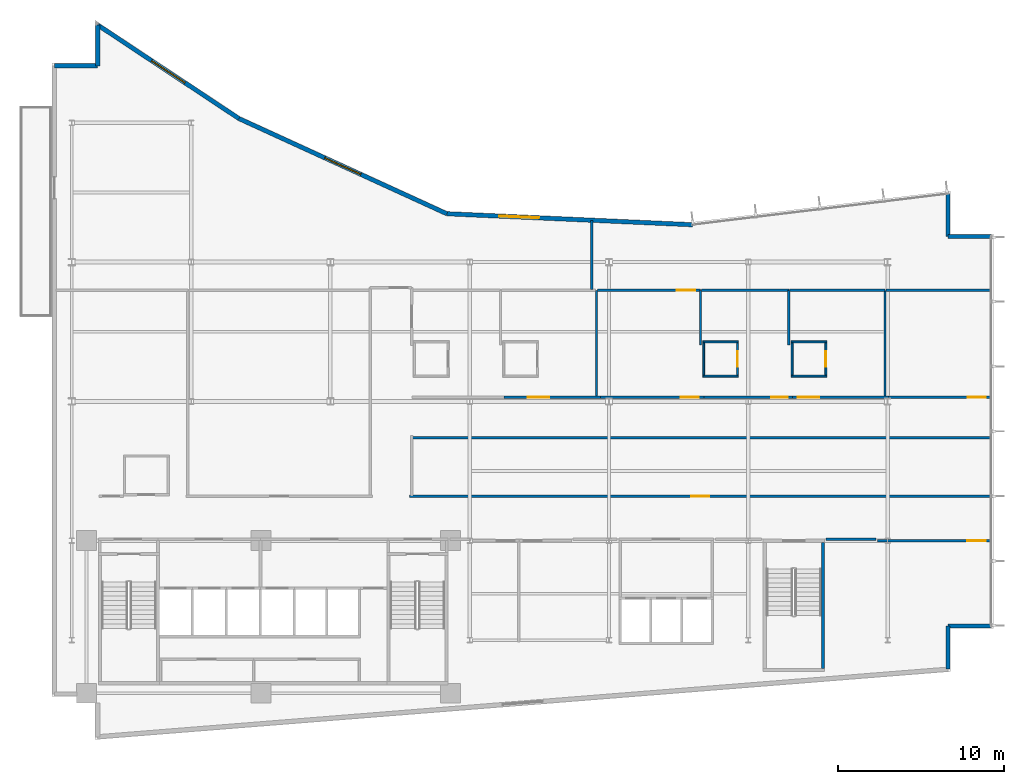
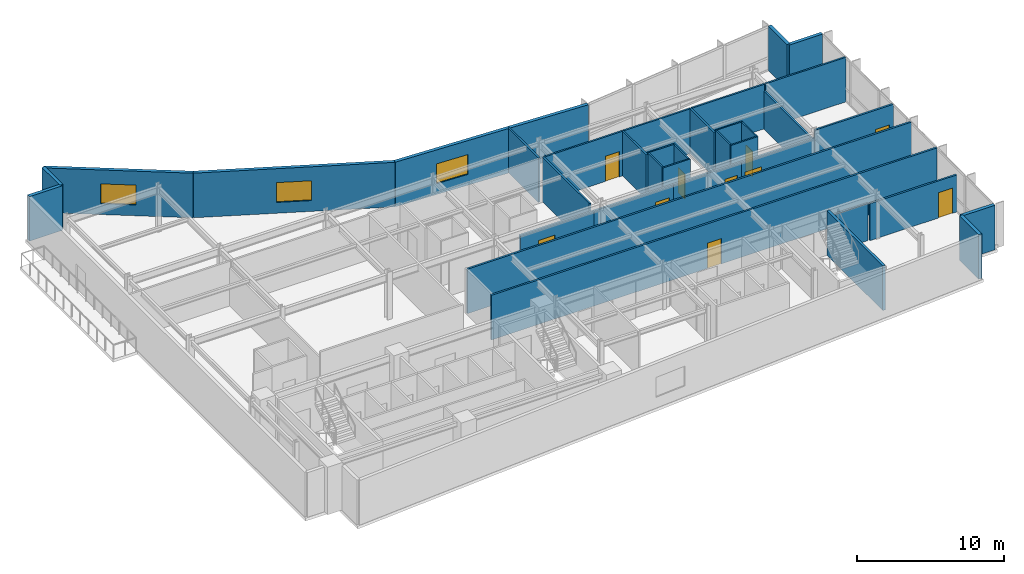
# One storey, part 12 of 18: 36 walls, 10 doors, 3 windows, 13 openings.
"""IFC4 building model written with IfcOpenShell, lengths in metres."""

from ifc_helpers import new_model, si_unit, direction, frame, frame_2d, origin, place, context, subcontext, project, spatial, rectangle, extrude, material, layer, layer_set, type_object, element, fill, save


model = new_model("IFC4")

# Units and contexts
model_context = context("Model", 3, precision=1e-05, world=origin(), true_north=direction((0.0, 1.0)))
body_context = subcontext(model_context, "Body", "Model", "MODEL_VIEW")
ifc_project = project(units=[si_unit("LENGTHUNIT", "METRE"), si_unit("AREAUNIT", "SQUARE_METRE"), si_unit("VOLUMEUNIT", "CUBIC_METRE"), si_unit("PLANEANGLEUNIT", "RADIAN"), si_unit("MASSUNIT", "GRAM", prefix="KILO")], contexts=[model_context])

# Site, building, storey
site_placement = place(None, origin())
site = spatial("IfcSite", under=ifc_project, at=site_placement, CompositionType="ELEMENT")
building_placement = place(site_placement, origin())
building = spatial("IfcBuilding", under=site, at=building_placement, Name="Varnakote Quay Hospital", CompositionType="ELEMENT")
storey_placement = place(building_placement, frame((0.0, 0.0, 142.85009765625)))
storey = spatial("IfcBuildingStorey", under=building, at=storey_placement, Name="L35", CompositionType="ELEMENT", Elevation=142.85009765625)

# Walls
ifc_material_1 = material(Name="Fire-rated acoustic gypsum stud wall", Category="gypsum")
ifc_layer_1 = layer(ifc_material_1, 0.159912109375)
ifc_layer_set_1 = layer_set([ifc_layer_1], Name="Fire-rated acoustic gypsum stud wall")
wall_type_1 = type_object("IfcWallType", Name="WL-COMP-160", PredefinedType="PARTITIONING", material=ifc_layer_set_1)
wall_1_placement = place(storey_placement, frame((46.689208984375, 12.080078125, 0.0), z_axis=(0.0, 0.0, 1.0), x_axis=(1.0, 0.0, 0.0)))
element("IfcWall", 1, at=wall_1_placement, inside=storey, type_object=wall_type_1, Name="L35 Corridor South Gap Wall", PredefinedType="PARTITIONING", context=body_context, shape_type="SweptSolid", body=[
    extrude(rectangle(XDim=3.0107421875, YDim=0.159912109375, at=frame_2d((1.50537109375, 0.0))), origin(), (0.0, 0.0, 1.0), 3.0830078125),
])
ifc_material_2 = material(Name="Moisture-resistant bathroom partition", Category="gypsum")
ifc_layer_2 = layer(ifc_material_2, 0.114990234375)
ifc_layer_set_2 = layer_set([ifc_layer_2], Name="Moisture-resistant bathroom partition")
wall_type_2 = type_object("IfcWallType", Name="WL-ENS-115", PredefinedType="PARTITIONING", material=ifc_layer_set_2)
for number, where, z_axis, x_axis, name in (
    (2, (39.2548828125, 21.922607421875, 0.0), (0.0, 0.0, 1.0), (1.0, 0.0, 0.0), "L35 Inpatient En-Suite Bathroom 03 S Wall"),
    (3, (39.2548828125, 23.987548828125, 0.0), (0.0, 0.0, 1.0), (1.0, 0.0, 0.0), "L35 Inpatient En-Suite Bathroom 03 N Wall"),
):
    element("IfcWall", number, at=place(storey_placement, frame(where, z_axis=z_axis, x_axis=x_axis)), inside=storey, type_object=wall_type_2, Name=name, PredefinedType="PARTITIONING", context=body_context, shape_type="SweptSolid", body=[
        extrude(rectangle(XDim=2.150146484375, YDim=0.114990234375, at=frame_2d((1.0751953125, 0.0))), origin(), (0.0, 0.0, 1.0), 3.7099609375),
    ])
wall_2_placement = place(storey_placement, frame((39.3125, 21.97998046875, 0.0), z_axis=(0.0, 0.0, 1.0), x_axis=(0.0, 1.0, 0.0)))
element("IfcWall", 4, at=wall_2_placement, inside=storey, type_object=wall_type_2, Name="L35 Inpatient En-Suite Bathroom 03 W Wall", PredefinedType="PARTITIONING", context=body_context, shape_type="SweptSolid", body=[
    extrude(rectangle(XDim=1.949951171875, YDim=0.114990234375, at=frame_2d((0.97509765625, 0.0))), origin(), (0.0, 0.0, 1.0), 3.7099609375),
])

# Wall, opening, door
wall_3_placement = place(storey_placement, frame((41.347412109375, 21.97998046875, 0.0), z_axis=(0.0, 0.0, 1.0), x_axis=(0.0, 1.0, 0.0)))
wall_3 = element("IfcWall", 5, at=wall_3_placement, inside=storey, type_object=wall_type_2, Name="L35 Inpatient En-Suite Bathroom 03 E Wall", PredefinedType="PARTITIONING", context=body_context, shape_type="SweptSolid", body=[
    extrude(rectangle(XDim=1.949951171875, YDim=0.114990234375, at=frame_2d((0.97509765625, 0.0))), origin(), (0.0, 0.0, 1.0), 3.7099609375),
])
opening_1_placement = place(wall_3_placement, frame((0.514892578125, 0.0, 0.0)))
opening_1 = element("IfcOpeningElement", 6, at=opening_1_placement, cuts=wall_3, Name="Opening D-L35-ENS03", PredefinedType="OPENING", context=body_context, shape_type="SweptSolid", body=[
    extrude(rectangle(XDim=0.919921875, YDim=2.10009765625, at=frame_2d((0.4599609375, 1.050048828125))), frame((0.0, 0.0673828125, 0.0), z_axis=(0.0, -1.0, 0.0), x_axis=(1.0, 0.0, 0.0)), (0.0, 0.0, 1.0), 0.135009765625),
])
ifc_material_3 = material(Name="Moisture-sealed en-suite bathroom door")
door_type_1 = type_object("IfcDoorType", Name="DR-ENS-920x2100", OperationType="NOTDEFINED", PredefinedType="DOOR", material=ifc_material_3)
door_1_placement = place(opening_1_placement, origin())
door_1 = element("IfcDoor", 7, at=door_1_placement, inside=storey, type_object=door_type_1, Name="L35 Inpatient En-Suite Bathroom 03 Door", OperationType="SINGLE_SWING_LEFT", OverallHeight=2.10009765625, OverallWidth=0.919921875, PredefinedType="DOOR", context=body_context, shape_type="SweptSolid", body=[
    extrude(rectangle(XDim=0.919921875, YDim=2.10009765625, at=frame_2d((0.4599609375, 1.050048828125))), frame((0.0, 0.02490234375, 0.0), z_axis=(0.0, -1.0, 0.0), x_axis=(1.0, 0.0, 0.0)), (0.0, 0.0, 1.0), 0.050048828125),
])
fill(opening_1, door_1)

# Walls
for number, where, z_axis, x_axis, name in (
    (8, (44.5849609375, 21.922607421875, 0.0), (0.0, 0.0, 1.0), (1.0, 0.0, 0.0), "L35 Inpatient En-Suite Bathroom 04 S Wall"),
    (9, (44.5849609375, 23.987548828125, 0.0), (0.0, 0.0, 1.0), (1.0, 0.0, 0.0), "L35 Inpatient En-Suite Bathroom 04 N Wall"),
):
    element("IfcWall", number, at=place(storey_placement, frame(where, z_axis=z_axis, x_axis=x_axis)), inside=storey, type_object=wall_type_2, Name=name, PredefinedType="PARTITIONING", context=body_context, shape_type="SweptSolid", body=[
        extrude(rectangle(XDim=2.150146484375, YDim=0.114990234375, at=frame_2d((1.0751953125, 0.0))), origin(), (0.0, 0.0, 1.0), 3.7099609375),
    ])
wall_4_placement = place(storey_placement, frame((44.642578125, 21.97998046875, 0.0), z_axis=(0.0, 0.0, 1.0), x_axis=(0.0, 1.0, 0.0)))
element("IfcWall", 10, at=wall_4_placement, inside=storey, type_object=wall_type_2, Name="L35 Inpatient En-Suite Bathroom 04 W Wall", PredefinedType="PARTITIONING", context=body_context, shape_type="SweptSolid", body=[
    extrude(rectangle(XDim=1.949951171875, YDim=0.114990234375, at=frame_2d((0.97509765625, 0.0))), origin(), (0.0, 0.0, 1.0), 3.7099609375),
])

# Wall, opening, door
wall_5_placement = place(storey_placement, frame((46.677490234375, 21.97998046875, 0.0), z_axis=(0.0, 0.0, 1.0), x_axis=(0.0, 1.0, 0.0)))
wall_5 = element("IfcWall", 11, at=wall_5_placement, inside=storey, type_object=wall_type_2, Name="L35 Inpatient En-Suite Bathroom 04 E Wall", PredefinedType="PARTITIONING", context=body_context, shape_type="SweptSolid", body=[
    extrude(rectangle(XDim=1.949951171875, YDim=0.114990234375, at=frame_2d((0.97509765625, 0.0))), origin(), (0.0, 0.0, 1.0), 3.7099609375),
])
opening_2_placement = place(wall_5_placement, frame((0.514892578125, 0.0, 0.0)))
opening_2 = element("IfcOpeningElement", 12, at=opening_2_placement, cuts=wall_5, Name="Opening D-L35-ENS04", PredefinedType="OPENING", context=body_context, shape_type="SweptSolid", body=[
    extrude(rectangle(XDim=0.919921875, YDim=2.10009765625, at=frame_2d((0.4599609375, 1.050048828125))), frame((0.0, 0.0673828125, 0.0), z_axis=(0.0, -1.0, 0.0), x_axis=(1.0, 0.0, 0.0)), (0.0, 0.0, 1.0), 0.135009765625),
])
door_2_placement = place(opening_2_placement, origin())
door_2 = element("IfcDoor", 13, at=door_2_placement, inside=storey, type_object=door_type_1, Name="L35 Inpatient En-Suite Bathroom 04 Door", OperationType="SINGLE_SWING_RIGHT", OverallHeight=2.10009765625, OverallWidth=0.919921875, PredefinedType="DOOR", context=body_context, shape_type="SweptSolid", body=[
    extrude(rectangle(XDim=0.919921875, YDim=2.10009765625, at=frame_2d((0.4599609375, 1.050048828125))), frame((0.0, 0.02490234375, 0.0), z_axis=(0.0, -1.0, 0.0), x_axis=(1.0, 0.0, 0.0)), (0.0, 0.0, 1.0), 0.050048828125),
])
fill(opening_2, door_2)

# Walls
ifc_material_4 = material(Name="Precast concrete N50 (f'c 50 MPa)", Category="concrete")
ifc_layer_3 = layer(ifc_material_4, 0.260009765625)
ifc_layer_set_3 = layer_set([ifc_layer_3], Name="Precast concrete N50 (f'c 50 MPa)")
wall_type_3 = type_object("IfcWallType", Name="WL-EXT-BRICK-260", PredefinedType="STANDARD", material=ifc_layer_set_3)
wall_6_placement = place(storey_placement, frame((54.0400390625, 4.247802734375, 0.0), z_axis=(0.0, 0.0, 1.0), x_axis=(0.0, 1.0, 0.0)))
element("IfcWall", 14, at=wall_6_placement, inside=storey, type_object=wall_type_3, Name="L35 Brick-Faced Precast Exterior Wall", PredefinedType="STANDARD", context=body_context, shape_type="SweptSolid", body=[
    extrude(rectangle(XDim=2.6123046875, YDim=0.260009765625, at=frame_2d((1.30615234375, 0.0))), origin(), (0.0, 0.0, 1.0), 3.7099609375),
])
for number, where, z_axis, x_axis, name in (
    (15, (54.0400390625, 6.860107421875, 0.0), (0.0, 0.0, 1.0), (1.0, 0.0, 0.0), "L35 Brick-Faced Precast Exterior Wall"),
    (16, (56.639892578125, 30.340087890625, 0.0), (0.0, 0.0, 1.0), (-1.0, 0.0, 0.0), "L35 Brick-Faced Precast Exterior Wall"),
):
    element("IfcWall", number, at=place(storey_placement, frame(where, z_axis=z_axis, x_axis=x_axis)), inside=storey, type_object=wall_type_3, Name=name, PredefinedType="STANDARD", context=body_context, shape_type="SweptSolid", body=[
        extrude(rectangle(XDim=2.599853515625, YDim=0.260009765625, at=frame_2d((1.2998046875, 0.0))), origin(), (0.0, 0.0, 1.0), 3.7099609375),
    ])
wall_7_placement = place(storey_placement, frame((54.0400390625, 30.340087890625, 0.0), z_axis=(0.0, 0.0, 1.0), x_axis=(0.0, 1.0, 0.0)))
element("IfcWall", 17, at=wall_7_placement, inside=storey, type_object=wall_type_3, Name="L35 Brick-Faced Precast Exterior Wall", PredefinedType="STANDARD", context=body_context, shape_type="SweptSolid", body=[
    extrude(rectangle(XDim=2.579345703125, YDim=0.260009765625, at=frame_2d((1.28955078125, 0.0))), origin(), (0.0, 0.0, 1.0), 3.7099609375),
])

# Wall, opening, window
wall_8_placement = place(storey_placement, frame((38.630126953125, 31.051513671875, 0.0), z_axis=(0.0, 0.0, 1.0), x_axis=(-0.998996592956, 0.044786239663, 0.0)))
wall_8 = element("IfcWall", 18, at=wall_8_placement, inside=storey, type_object=wall_type_3, Name="L35 Brick-Faced Precast Exterior Wall", PredefinedType="STANDARD", context=body_context, shape_type="SweptSolid", body=[
    extrude(rectangle(XDim=14.827392578125, YDim=0.260009765625, at=frame_2d((7.41357421875, 0.0))), origin(), (0.0, 0.0, 1.0), 3.7099609375),
])
opening_3_placement = place(wall_8_placement, frame((9.26171875, 0.0, 0.89990234375)))
opening_3 = element("IfcOpeningElement", 19, at=opening_3_placement, cuts=wall_8, Name="Opening WN-0151", PredefinedType="OPENING", context=body_context, shape_type="SweptSolid", body=[
    extrude(rectangle(XDim=2.39990234375, YDim=1.64990234375, at=frame_2d((1.199951171875, 0.824951171875))), frame((0.0, 0.139892578125, 0.0), z_axis=(0.0, -1.0, 0.0), x_axis=(1.0, 0.0, 0.0)), (0.0, 0.0, 1.0), 0.280029296875),
])
ifc_material_5 = material(Name="Double-glazed low-E solar glass", Category="glass")
window_type = type_object("IfcWindowType", Name="WIN-CLIN-2400x1650", PartitioningType="SINGLE_PANEL", PredefinedType="WINDOW", material=ifc_material_5)
window_1_placement = place(opening_3_placement, origin())
window_1 = element("IfcWindow", 20, at=window_1_placement, inside=storey, type_object=window_type, Name="L35 Solar-Control Clinical Window", OverallHeight=1.64990234375, OverallWidth=2.39990234375, PartitioningType="SINGLE_PANEL", PredefinedType="WINDOW", context=body_context, shape_type="SweptSolid", body=[
    extrude(rectangle(XDim=2.39990234375, YDim=1.64990234375, at=frame_2d((1.199951171875, 0.824951171875))), frame((0.0, 0.030029296875, 0.0), z_axis=(0.0, -1.0, 0.0), x_axis=(1.0, 0.0, 0.0)), (0.0, 0.0, 1.0), 0.06005859375),
])
fill(opening_3, window_1)

wall_9_placement = place(storey_placement, frame((23.817626953125, 31.715576171875, 0.0), z_axis=(0.0, 0.0, 1.0), x_axis=(-0.909209527513, 0.416338846471, 0.0)))
wall_9 = element("IfcWall", 21, at=wall_9_placement, inside=storey, type_object=wall_type_3, Name="L35 Brick-Faced Precast Exterior Wall", PredefinedType="STANDARD", context=body_context, shape_type="SweptSolid", body=[
    extrude(rectangle(XDim=13.787353515625, YDim=0.260009765625, at=frame_2d((6.8935546875, 0.0))), origin(), (0.0, 0.0, 1.0), 3.7099609375),
])
opening_4_placement = place(wall_9_placement, frame((5.693603515625, 0.0, 0.89990234375)))
opening_4 = element("IfcOpeningElement", 22, at=opening_4_placement, cuts=wall_9, Name="Opening WN-0152", PredefinedType="OPENING", context=body_context, shape_type="SweptSolid", body=[
    extrude(rectangle(XDim=2.39990234375, YDim=1.64990234375, at=frame_2d((1.199951171875, 0.824951171875))), frame((0.0, 0.139892578125, 0.0), z_axis=(0.0, -1.0, 0.0), x_axis=(1.0, 0.0, 0.0)), (0.0, 0.0, 1.0), 0.280029296875),
])
window_2_placement = place(opening_4_placement, origin())
window_2 = element("IfcWindow", 23, at=window_2_placement, inside=storey, type_object=window_type, Name="L35 Solar-Control Clinical Window", OverallHeight=1.64990234375, OverallWidth=2.39990234375, PartitioningType="SINGLE_PANEL", PredefinedType="WINDOW", context=body_context, shape_type="SweptSolid", body=[
    extrude(rectangle(XDim=2.39990234375, YDim=1.64990234375, at=frame_2d((1.199951171875, 0.824951171875))), frame((0.0, 0.030029296875, 0.0), z_axis=(0.0, -1.0, 0.0), x_axis=(1.0, 0.0, 0.0)), (0.0, 0.0, 1.0), 0.06005859375),
])
fill(opening_4, window_2)

wall_10_placement = place(storey_placement, frame((11.281982421875, 37.455810546875, 0.0), z_axis=(0.0, 0.0, 1.0), x_axis=(-0.833630474253, 0.552322580017, 0.0)))
wall_10 = element("IfcWall", 24, at=wall_10_placement, inside=storey, type_object=wall_type_3, Name="L35 Brick-Faced Precast Exterior Wall", PredefinedType="STANDARD", context=body_context, shape_type="SweptSolid", body=[
    extrude(rectangle(XDim=10.22265625, YDim=0.260009765625, at=frame_2d((5.111328125, 0.0))), origin(), (0.0, 0.0, 1.0), 3.7099609375),
])
opening_5_placement = place(wall_10_placement, frame((3.911376953125, 0.0, 0.89990234375)))
opening_5 = element("IfcOpeningElement", 25, at=opening_5_placement, cuts=wall_10, Name="Opening WN-0153", PredefinedType="OPENING", context=body_context, shape_type="SweptSolid", body=[
    extrude(rectangle(XDim=2.39990234375, YDim=1.64990234375, at=frame_2d((1.199951171875, 0.824951171875))), frame((0.0, 0.139892578125, 0.0), z_axis=(0.0, -1.0, 0.0), x_axis=(1.0, 0.0, 0.0)), (0.0, 0.0, 1.0), 0.280029296875),
])
window_3_placement = place(opening_5_placement, origin())
window_3 = element("IfcWindow", 26, at=window_3_placement, inside=storey, type_object=window_type, Name="L35 Solar-Control Clinical Window", OverallHeight=1.64990234375, OverallWidth=2.39990234375, PartitioningType="SINGLE_PANEL", PredefinedType="WINDOW", context=body_context, shape_type="SweptSolid", body=[
    extrude(rectangle(XDim=2.39990234375, YDim=1.64990234375, at=frame_2d((1.199951171875, 0.824951171875))), frame((0.0, 0.030029296875, 0.0), z_axis=(0.0, -1.0, 0.0), x_axis=(1.0, 0.0, 0.0)), (0.0, 0.0, 1.0), 0.06005859375),
])
fill(opening_5, window_3)

# Walls
wall_11_placement = place(storey_placement, frame((2.760009765625, 43.10205078125, 0.0), z_axis=(0.0, 0.0, 1.0), x_axis=(0.0, -1.0, 0.0)))
element("IfcWall", 27, at=wall_11_placement, inside=storey, type_object=wall_type_3, Name="L35 Brick-Faced Precast Exterior Wall", PredefinedType="STANDARD", context=body_context, shape_type="SweptSolid", body=[
    extrude(rectangle(XDim=2.462158203125, YDim=0.260009765625, at=frame_2d((1.23095703125, 0.0))), origin(), (0.0, 0.0, 1.0), 3.7099609375),
])
wall_12_placement = place(storey_placement, frame((2.760009765625, 40.639892578125, 0.0), z_axis=(0.0, 0.0, 1.0), x_axis=(-1.0, 0.0, 0.0)))
element("IfcWall", 28, at=wall_12_placement, inside=storey, type_object=wall_type_3, Name="L35 Brick-Faced Precast Exterior Wall", PredefinedType="STANDARD", context=body_context, shape_type="SweptSolid", body=[
    extrude(rectangle(XDim=2.60009765625, YDim=0.260009765625, at=frame_2d((1.300048828125, 0.0))), origin(), (0.0, 0.0, 1.0), 3.7099609375),
])
ifc_material_6 = material(Name="Concrete N50 (f'c 50 MPa)", Category="concrete")
ifc_layer_4 = layer(ifc_material_6, 0.199951171875)
ifc_layer_set_4 = layer_set([ifc_layer_4], Name="Concrete N50 (f'c 50 MPa)")
wall_type_4 = type_object("IfcWallType", Name="WL-SHAFT-N50-200", PredefinedType="SHEAR", material=ifc_layer_set_4)
wall_13_placement = place(storey_placement, frame((46.5, 4.300048828125, 0.0), z_axis=(0.0, 0.0, 1.0), x_axis=(0.0, 1.0, 0.0)))
element("IfcWall", 29, at=wall_13_placement, inside=storey, type_object=wall_type_4, Name="L35 Stair ST3 East Shaft Wall", PredefinedType="SHEAR", context=body_context, shape_type="SweptSolid", body=[
    extrude(rectangle(XDim=7.599853515625, YDim=0.199951171875, at=frame_2d((3.7998046875, 0.0))), origin(), (0.0, 0.0, 1.0), 3.7099609375),
])
ifc_material_7 = material(Name="Smoke-proof clinical partition", Category="gypsum")
ifc_layer_5 = layer(ifc_material_7, 0.135009765625)
ifc_layer_set_5 = layer_set([ifc_layer_5], Name="Smoke-proof clinical partition")
wall_type_5 = type_object("IfcWallType", Name="WL-SMOKE-135", PredefinedType="PARTITIONING", material=ifc_layer_set_5)
wall_14_placement = place(storey_placement, frame((32.85009765625, 20.715087890625, 0.0), z_axis=(0.0, 0.0, 1.0), x_axis=(0.0, 1.0, 0.0)))
element("IfcWall", 30, at=wall_14_placement, inside=storey, type_object=wall_type_5, Name="L35 Clinical Interior Partition", PredefinedType="PARTITIONING", context=body_context, shape_type="SweptSolid", body=[
    extrude(rectangle(XDim=6.385009765625, YDim=0.135009765625, at=frame_2d((3.1923828125, 0.0))), origin(), (0.0, 0.0, 1.0), 3.7099609375),
])
wall_15_placement = place(storey_placement, frame((39.110107421875, 23.802490234375, 0.0), z_axis=(0.0, 0.0, 1.0), x_axis=(0.0, 1.0, 0.0)))
element("IfcWall", 31, at=wall_15_placement, inside=storey, type_object=wall_type_5, Name="L35 Clinical Interior Partition", PredefinedType="PARTITIONING", context=body_context, shape_type="SweptSolid", body=[
    extrude(rectangle(XDim=3.297607421875, YDim=0.135009765625, at=frame_2d((1.64892578125, 0.0))), origin(), (0.0, 0.0, 1.0), 3.7099609375),
])

# Wall, opening, door
wall_16_placement = place(storey_placement, frame((39.110107421875, 27.10009765625, 0.0), z_axis=(0.0, 0.0, 1.0), x_axis=(-1.0, 0.0, 0.0)))
wall_16 = element("IfcWall", 32, at=wall_16_placement, inside=storey, type_object=wall_type_5, Name="L35 Clinical Interior Partition", PredefinedType="PARTITIONING", context=body_context, shape_type="SweptSolid", body=[
    extrude(rectangle(XDim=6.20263671875, YDim=0.135009765625, at=frame_2d((3.101318359375, 0.0))), origin(), (0.0, 0.0, 1.0), 3.7099609375),
])
opening_6_placement = place(wall_16_placement, frame((0.317626953125, 0.0, 0.0)))
opening_6 = element("IfcOpeningElement", 33, at=opening_6_placement, cuts=wall_16, Name="Opening D-L35-MD06", PredefinedType="OPENING", context=body_context, shape_type="SweptSolid", body=[
    extrude(rectangle(XDim=1.10009765625, YDim=2.10009765625, at=frame_2d((0.550048828125, 1.050048828125))), frame((0.0, 0.077392578125, 0.0), z_axis=(0.0, -1.0, 0.0), x_axis=(1.0, 0.0, 0.0)), (0.0, 0.0, 1.0), 0.155029296875),
])
ifc_material_8 = material(Name="Acoustic timber clinical consult door", Category="wood")
door_type_2 = type_object("IfcDoorType", Name="DR-CLIN-FD30S-1100x2100", OperationType="NOTDEFINED", PredefinedType="DOOR", material=ifc_material_8)
door_3_placement = place(opening_6_placement, origin())
door_3 = element("IfcDoor", 34, at=door_3_placement, inside=storey, type_object=door_type_2, Name="L35 Paediatric Acute Treatment Suite Door", OperationType="SINGLE_SWING_RIGHT", OverallHeight=2.10009765625, OverallWidth=1.10009765625, PredefinedType="DOOR", context=body_context, shape_type="SweptSolid", body=[
    extrude(rectangle(XDim=1.10009765625, YDim=2.10009765625, at=frame_2d((0.550048828125, 1.050048828125))), frame((0.0, 0.02490234375, 0.0), z_axis=(0.0, -1.0, 0.0), x_axis=(1.0, 0.0, 0.0)), (0.0, 0.0, 1.0), 0.050048828125),
])
fill(opening_6, door_3)

# Walls
wall_17_placement = place(storey_placement, frame((44.43994140625, 23.802490234375, 0.0), z_axis=(0.0, 0.0, 1.0), x_axis=(0.0, 1.0, 0.0)))
element("IfcWall", 35, at=wall_17_placement, inside=storey, type_object=wall_type_5, Name="L35 Clinical Interior Partition", PredefinedType="PARTITIONING", context=body_context, shape_type="SweptSolid", body=[
    extrude(rectangle(XDim=3.297607421875, YDim=0.135009765625, at=frame_2d((1.64892578125, 0.0))), origin(), (0.0, 0.0, 1.0), 3.7099609375),
])
wall_18_placement = place(storey_placement, frame((44.43994140625, 27.10009765625, 0.0), z_axis=(0.0, 0.0, 1.0), x_axis=(-1.0, 0.0, 0.0)))
element("IfcWall", 36, at=wall_18_placement, inside=storey, type_object=wall_type_5, Name="L35 Clinical Interior Partition", PredefinedType="PARTITIONING", context=body_context, shape_type="SweptSolid", body=[
    extrude(rectangle(XDim=5.2724609375, YDim=0.135009765625, at=frame_2d((2.63623046875, 0.0))), origin(), (0.0, 0.0, 1.0), 3.7099609375),
])
wall_19_placement = place(storey_placement, frame((50.239990234375, 20.715087890625, 0.0), z_axis=(0.0, 0.0, 1.0), x_axis=(0.0, 1.0, 0.0)))
element("IfcWall", 37, at=wall_19_placement, inside=storey, type_object=wall_type_5, Name="L35 Clinical Interior Partition", PredefinedType="PARTITIONING", context=body_context, shape_type="SweptSolid", body=[
    extrude(rectangle(XDim=6.385009765625, YDim=0.135009765625, at=frame_2d((3.1923828125, 0.0))), origin(), (0.0, 0.0, 1.0), 3.15185546875),
])
wall_20_placement = place(storey_placement, frame((50.239990234375, 27.10009765625, 0.0), z_axis=(0.0, 0.0, 1.0), x_axis=(-1.0, 0.0, 0.0)))
element("IfcWall", 38, at=wall_20_placement, inside=storey, type_object=wall_type_5, Name="L35 Clinical Interior Partition", PredefinedType="PARTITIONING", context=body_context, shape_type="SweptSolid", body=[
    extrude(rectangle(XDim=5.742431640625, YDim=0.135009765625, at=frame_2d((2.87109375, 0.0))), origin(), (0.0, 0.0, 1.0), 3.7099609375),
])
wall_21_placement = place(storey_placement, frame((56.639892578125, 27.10009765625, 0.0), z_axis=(0.0, 0.0, 1.0), x_axis=(-1.0, 0.0, 0.0)))
element("IfcWall", 39, at=wall_21_placement, inside=storey, type_object=wall_type_5, Name="L35 Clinical Interior Partition", PredefinedType="PARTITIONING", context=body_context, shape_type="SweptSolid", body=[
    extrude(rectangle(XDim=6.34228515625, YDim=0.135009765625, at=frame_2d((3.171142578125, 0.0))), origin(), (0.0, 0.0, 1.0), 3.7099609375),
])
wall_22_placement = place(storey_placement, frame((32.56005859375, 27.157470703125, 0.0), z_axis=(0.0, 0.0, 1.0), x_axis=(0.0, 1.0, 0.0)))
element("IfcWall", 40, at=wall_22_placement, inside=storey, type_object=wall_type_5, Name="L35 Clinical Interior Partition", PredefinedType="PARTITIONING", context=body_context, shape_type="SweptSolid", body=[
    extrude(rectangle(XDim=4.166259765625, YDim=0.135009765625, at=frame_2d((2.0830078125, 0.0))), origin(), (0.0, 0.0, 1.0), 3.7099609375),
])

# Wall, opening, door
ifc_material_9 = material(Name="Fire-rated clinical gypsum partition", Category="gypsum")
ifc_layer_6 = layer(ifc_material_9, 0.14990234375)
ifc_layer_set_6 = layer_set([ifc_layer_6], Name="Fire-rated clinical gypsum partition")
wall_type_6 = type_object("IfcWallType", Name="WL-WARD-150", PredefinedType="PARTITIONING", material=ifc_layer_set_6)
wall_23_placement = place(storey_placement, frame((56.639892578125, 12.0, 0.0), z_axis=(0.0, 0.0, 1.0), x_axis=(-1.0, 0.0, 0.0)))
wall_23 = element("IfcWall", 41, at=wall_23_placement, inside=storey, type_object=wall_type_6, Name="L35 Clinical Interior Partition", PredefinedType="PARTITIONING", context=body_context, shape_type="SweptSolid", body=[
    extrude(rectangle(XDim=6.83984375, YDim=0.14990234375, at=frame_2d((3.419921875, 0.0))), origin(), (0.0, 0.0, 1.0), 3.0830078125),
])
opening_7_placement = place(wall_23_placement, frame((0.33349609375, 0.0, 0.0)))
opening_7 = element("IfcOpeningElement", 42, at=opening_7_placement, cuts=wall_23, Name="Opening D-L35-SE1", PredefinedType="OPENING", context=body_context, shape_type="SweptSolid", body=[
    extrude(rectangle(XDim=1.10009765625, YDim=2.10009765625, at=frame_2d((0.550048828125, 1.050048828125))), frame((0.0, 0.0849609375, 0.0), z_axis=(0.0, -1.0, 0.0), x_axis=(1.0, 0.0, 0.0)), (0.0, 0.0, 1.0), 0.169921875),
])
door_4_placement = place(opening_7_placement, origin())
door_4 = element("IfcDoor", 43, at=door_4_placement, inside=storey, type_object=door_type_2, Name="L35 Clinical Biomedical Engineering Office Door", OperationType="SINGLE_SWING_LEFT", OverallHeight=2.10009765625, OverallWidth=1.10009765625, PredefinedType="DOOR", context=body_context, shape_type="SweptSolid", body=[
    extrude(rectangle(XDim=1.10009765625, YDim=2.10009765625, at=frame_2d((0.550048828125, 1.050048828125))), frame((0.0, 0.02490234375, 0.0), z_axis=(0.0, -1.0, 0.0), x_axis=(1.0, 0.0, 0.0)), (0.0, 0.0, 1.0), 0.050048828125),
])
fill(opening_7, door_4)

wall_24_placement = place(storey_placement, frame((56.639892578125, 14.679931640625, 0.0), z_axis=(0.0, 0.0, 1.0), x_axis=(-1.0, 0.0, 0.0)))
wall_24 = element("IfcWall", 44, at=wall_24_placement, inside=storey, type_object=wall_type_6, Name="L35 Clinical Interior Partition", PredefinedType="PARTITIONING", context=body_context, shape_type="SweptSolid", body=[
    extrude(rectangle(XDim=35.0859375, YDim=0.14990234375, at=frame_2d((17.54296875, 0.0))), origin(), (0.0, 0.0, 1.0), 3.7099609375),
])
opening_8_placement = place(wall_24_placement, frame((16.992919921875, 0.0, 0.0)))
opening_8 = element("IfcOpeningElement", 45, at=opening_8_placement, cuts=wall_24, Name="Opening D-L35-MD02", PredefinedType="OPENING", context=body_context, shape_type="SweptSolid", body=[
    extrude(rectangle(XDim=1.10009765625, YDim=2.10009765625, at=frame_2d((0.550048828125, 1.050048828125))), frame((0.0, 0.0849609375, 0.0), z_axis=(0.0, -1.0, 0.0), x_axis=(1.0, 0.0, 0.0)), (0.0, 0.0, 1.0), 0.169921875),
])
door_5_placement = place(opening_8_placement, origin())
door_5 = element("IfcDoor", 46, at=door_5_placement, inside=storey, type_object=door_type_2, Name="L35 Paediatric Acute Treatment Suite Door", OperationType="SINGLE_SWING_RIGHT", OverallHeight=2.10009765625, OverallWidth=1.10009765625, PredefinedType="DOOR", context=body_context, shape_type="SweptSolid", body=[
    extrude(rectangle(XDim=1.10009765625, YDim=2.10009765625, at=frame_2d((0.550048828125, 1.050048828125))), frame((0.0, 0.02490234375, 0.0), z_axis=(0.0, -1.0, 0.0), x_axis=(1.0, 0.0, 0.0)), (0.0, 0.0, 1.0), 0.050048828125),
])
fill(opening_8, door_5)

# Wall
wall_25_placement = place(storey_placement, frame((21.719970703125, 18.199951171875, 0.0), z_axis=(0.0, 0.0, 1.0), x_axis=(1.0, 0.0, 0.0)))
element("IfcWall", 47, at=wall_25_placement, inside=storey, type_object=wall_type_6, Name="L35 Clinical Interior Partition", PredefinedType="PARTITIONING", context=body_context, shape_type="SweptSolid", body=[
    extrude(rectangle(XDim=34.919921875, YDim=0.14990234375, at=frame_2d((17.4599609375, 0.0))), origin(), (0.0, 0.0, 1.0), 3.7099609375),
])

# Wall, opening, door
wall_26_placement = place(storey_placement, frame((33.075927734375, 20.64990234375, 0.0), z_axis=(0.0, 0.0, 1.0), x_axis=(-1.0, 0.0, 0.0)))
wall_26 = element("IfcWall", 48, at=wall_26_placement, inside=storey, type_object=wall_type_6, Name="L35 Clinical Interior Partition", PredefinedType="PARTITIONING", context=body_context, shape_type="SweptSolid", body=[
    extrude(rectangle(XDim=5.7978515625, YDim=0.14990234375, at=frame_2d((2.89892578125, 0.0))), origin(), (0.0, 0.0, 1.0), 3.0830078125),
])
opening_9_placement = place(wall_26_placement, frame((3.068603515625, 0.0, 0.0)))
opening_9 = element("IfcOpeningElement", 49, at=opening_9_placement, cuts=wall_26, Name="Opening D-L35-BR02", PredefinedType="OPENING", context=body_context, shape_type="SweptSolid", body=[
    extrude(rectangle(XDim=1.300048828125, YDim=2.14990234375, at=frame_2d((0.64990234375, 1.074951171875))), frame((0.0, 0.0849609375, 0.0), z_axis=(0.0, -1.0, 0.0), x_axis=(1.0, 0.0, 0.0)), (0.0, 0.0, 1.0), 0.169921875),
])
ifc_material_10 = material(Name="Solid-core timber clinical bed door", Category="wood")
door_type_3 = type_object("IfcDoorType", Name="DR-WARD-FD30S-1300x2150", OperationType="NOTDEFINED", PredefinedType="DOOR", material=ifc_material_10)
door_6_placement = place(opening_9_placement, origin())
door_6 = element("IfcDoor", 50, at=door_6_placement, inside=storey, type_object=door_type_3, Name="L35 Resident Care Bedroom 02 Door", OperationType="SINGLE_SWING_LEFT", OverallHeight=2.14990234375, OverallWidth=1.300048828125, PredefinedType="DOOR", context=body_context, shape_type="SweptSolid", body=[
    extrude(rectangle(XDim=1.300048828125, YDim=2.14990234375, at=frame_2d((0.64990234375, 1.074951171875))), frame((0.0, 0.02490234375, 0.0), z_axis=(0.0, -1.0, 0.0), x_axis=(1.0, 0.0, 0.0)), (0.0, 0.0, 1.0), 0.050048828125),
])
fill(opening_9, door_6)

wall_27_placement = place(storey_placement, frame((39.3359375, 20.64990234375, 0.0), z_axis=(0.0, 0.0, 1.0), x_axis=(-1.0, 0.0, 0.0)))
wall_27 = element("IfcWall", 51, at=wall_27_placement, inside=storey, type_object=wall_type_6, Name="L35 Clinical Interior Partition", PredefinedType="PARTITIONING", context=body_context, shape_type="SweptSolid", body=[
    extrude(rectangle(XDim=6.258056640625, YDim=0.14990234375, at=frame_2d((3.12890625, 0.0))), origin(), (0.0, 0.0, 1.0), 3.0830078125),
])
opening_10_placement = place(wall_27_placement, frame((0.31884765625, 0.0, 0.0)))
opening_10 = element("IfcOpeningElement", 52, at=opening_10_placement, cuts=wall_27, Name="Opening D-L35-MD03", PredefinedType="OPENING", context=body_context, shape_type="SweptSolid", body=[
    extrude(rectangle(XDim=1.10009765625, YDim=2.10009765625, at=frame_2d((0.550048828125, 1.050048828125))), frame((0.0, 0.0849609375, 0.0), z_axis=(0.0, -1.0, 0.0), x_axis=(1.0, 0.0, 0.0)), (0.0, 0.0, 1.0), 0.169921875),
])
door_7_placement = place(opening_10_placement, origin())
door_7 = element("IfcDoor", 53, at=door_7_placement, inside=storey, type_object=door_type_2, Name="L35 Child Health Consult Office Door", OperationType="SINGLE_SWING_RIGHT", OverallHeight=2.10009765625, OverallWidth=1.10009765625, PredefinedType="DOOR", context=body_context, shape_type="SweptSolid", body=[
    extrude(rectangle(XDim=1.10009765625, YDim=2.10009765625, at=frame_2d((0.550048828125, 1.050048828125))), frame((0.0, 0.02490234375, 0.0), z_axis=(0.0, -1.0, 0.0), x_axis=(1.0, 0.0, 0.0)), (0.0, 0.0, 1.0), 0.050048828125),
])
fill(opening_10, door_7)

wall_28_placement = place(storey_placement, frame((44.666015625, 20.64990234375, 0.0), z_axis=(0.0, 0.0, 1.0), x_axis=(-1.0, 0.0, 0.0)))
wall_28 = element("IfcWall", 54, at=wall_28_placement, inside=storey, type_object=wall_type_6, Name="L35 Clinical Interior Partition", PredefinedType="PARTITIONING", context=body_context, shape_type="SweptSolid", body=[
    extrude(rectangle(XDim=5.328125, YDim=0.14990234375, at=frame_2d((2.6640625, 0.0))), origin(), (0.0, 0.0, 1.0), 3.0830078125),
])
opening_11_placement = place(wall_28_placement, frame((0.298583984375, 0.0, 0.0)))
opening_11 = element("IfcOpeningElement", 55, at=opening_11_placement, cuts=wall_28, Name="Opening D-L35-BR03", PredefinedType="OPENING", context=body_context, shape_type="SweptSolid", body=[
    extrude(rectangle(XDim=0.97998046875, YDim=2.10009765625, at=frame_2d((0.489990234375, 1.050048828125))), frame((0.0, 0.0849609375, 0.0), z_axis=(0.0, -1.0, 0.0), x_axis=(1.0, 0.0, 0.0)), (0.0, 0.0, 1.0), 0.169921875),
])
ifc_material_11 = material(Name="Accessible sanitary compartment door")
door_type_4 = type_object("IfcDoorType", Name="DR-WC-980x2100", OperationType="NOTDEFINED", PredefinedType="DOOR", material=ifc_material_11)
door_8_placement = place(opening_11_placement, origin())
door_8 = element("IfcDoor", 56, at=door_8_placement, inside=storey, type_object=door_type_4, Name="L35 Resident Care Bedroom 03 Door", OperationType="SINGLE_SWING_LEFT", OverallHeight=2.10009765625, OverallWidth=0.97998046875, PredefinedType="DOOR", context=body_context, shape_type="SweptSolid", body=[
    extrude(rectangle(XDim=0.97998046875, YDim=2.10009765625, at=frame_2d((0.489990234375, 1.050048828125))), frame((0.0, 0.02490234375, 0.0), z_axis=(0.0, -1.0, 0.0), x_axis=(1.0, 0.0, 0.0)), (0.0, 0.0, 1.0), 0.050048828125),
])
fill(opening_11, door_8)

wall_29_placement = place(storey_placement, frame((50.466064453125, 20.64990234375, 0.0), z_axis=(0.0, 0.0, 1.0), x_axis=(-1.0, 0.0, 0.0)))
wall_29 = element("IfcWall", 57, at=wall_29_placement, inside=storey, type_object=wall_type_6, Name="L35 Clinical Interior Partition", PredefinedType="PARTITIONING", context=body_context, shape_type="SweptSolid", body=[
    extrude(rectangle(XDim=5.798095703125, YDim=0.14990234375, at=frame_2d((2.89892578125, 0.0))), origin(), (0.0, 0.0, 1.0), 3.0830078125),
])
opening_12_placement = place(wall_29_placement, frame((4.195556640625, 0.0, 0.0)))
opening_12 = element("IfcOpeningElement", 58, at=opening_12_placement, cuts=wall_29, Name="Opening D-L35-BR04", PredefinedType="OPENING", context=body_context, shape_type="SweptSolid", body=[
    extrude(rectangle(XDim=1.300048828125, YDim=2.14990234375, at=frame_2d((0.64990234375, 1.074951171875))), frame((0.0, 0.0849609375, 0.0), z_axis=(0.0, -1.0, 0.0), x_axis=(1.0, 0.0, 0.0)), (0.0, 0.0, 1.0), 0.169921875),
])
door_9_placement = place(opening_12_placement, origin())
door_9 = element("IfcDoor", 59, at=door_9_placement, inside=storey, type_object=door_type_3, Name="L35 Resident Care Bedroom 04 Door", OperationType="SINGLE_SWING_RIGHT", OverallHeight=2.14990234375, OverallWidth=1.300048828125, PredefinedType="DOOR", context=body_context, shape_type="SweptSolid", body=[
    extrude(rectangle(XDim=1.300048828125, YDim=2.14990234375, at=frame_2d((0.64990234375, 1.074951171875))), frame((0.0, 0.02490234375, 0.0), z_axis=(0.0, -1.0, 0.0), x_axis=(1.0, 0.0, 0.0)), (0.0, 0.0, 1.0), 0.050048828125),
])
fill(opening_12, door_9)

wall_30_placement = place(storey_placement, frame((56.639892578125, 20.64990234375, 0.0), z_axis=(0.0, 0.0, 1.0), x_axis=(-1.0, 0.0, 0.0)))
wall_30 = element("IfcWall", 60, at=wall_30_placement, inside=storey, type_object=wall_type_6, Name="L35 Clinical Interior Partition", PredefinedType="PARTITIONING", context=body_context, shape_type="SweptSolid", body=[
    extrude(rectangle(XDim=6.171875, YDim=0.14990234375, at=frame_2d((3.0859375, 0.0))), origin(), (0.0, 0.0, 1.0), 3.7099609375),
])
opening_13_placement = place(wall_30_placement, frame((0.31689453125, 0.0, 0.0)))
opening_13 = element("IfcOpeningElement", 61, at=opening_13_placement, cuts=wall_30, Name="Opening D-L35-MD04", PredefinedType="OPENING", context=body_context, shape_type="SweptSolid", body=[
    extrude(rectangle(XDim=1.10009765625, YDim=2.10009765625, at=frame_2d((0.550048828125, 1.050048828125))), frame((0.0, 0.0849609375, 0.0), z_axis=(0.0, -1.0, 0.0), x_axis=(1.0, 0.0, 0.0)), (0.0, 0.0, 1.0), 0.169921875),
])
door_10_placement = place(opening_13_placement, origin())
door_10 = element("IfcDoor", 62, at=door_10_placement, inside=storey, type_object=door_type_2, Name="L35 Parent Education Teaching Room Door", OperationType="SINGLE_SWING_LEFT", OverallHeight=2.10009765625, OverallWidth=1.10009765625, PredefinedType="DOOR", context=body_context, shape_type="SweptSolid", body=[
    extrude(rectangle(XDim=1.10009765625, YDim=2.10009765625, at=frame_2d((0.550048828125, 1.050048828125))), frame((0.0, 0.02490234375, 0.0), z_axis=(0.0, -1.0, 0.0), x_axis=(1.0, 0.0, 0.0)), (0.0, 0.0, 1.0), 0.050048828125),
])
fill(opening_13, door_10)

save(model, "model.ifc")
